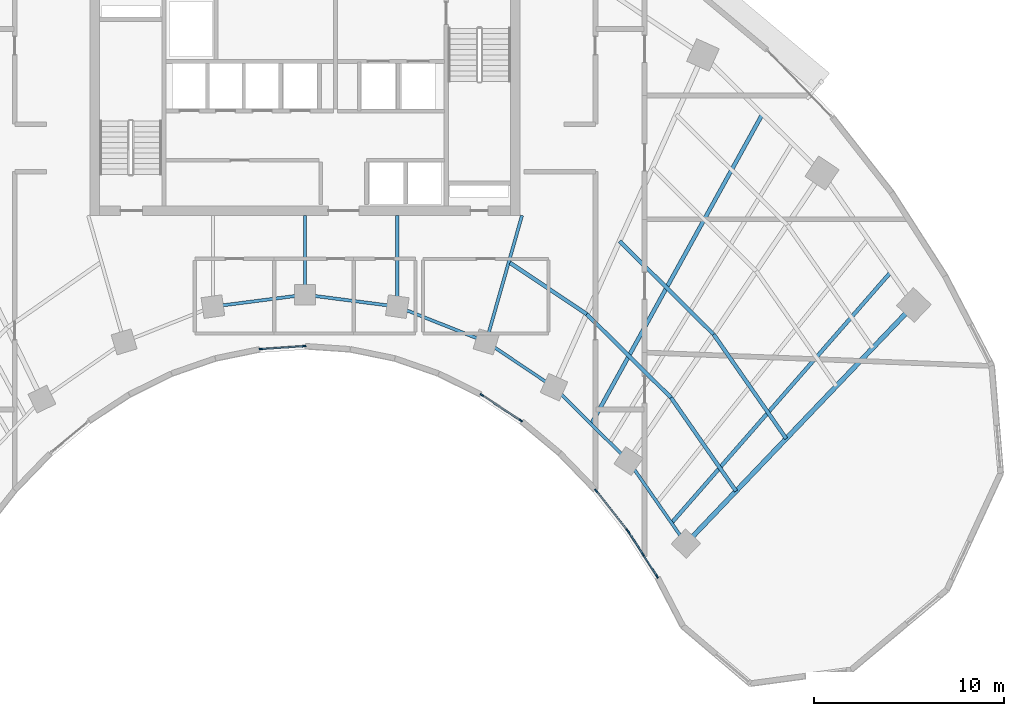
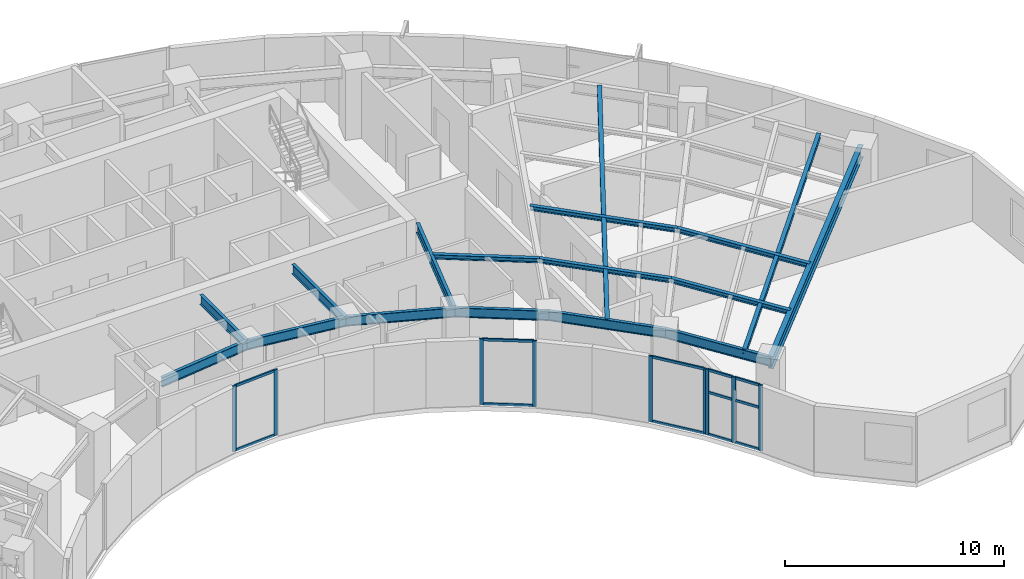
# One storey, part 3 of 13: 21 members, 17 beams, 4 elements without a shape of their own.
"""IFC4 building model written with IfcOpenShell, lengths in metres."""

import ifcopenshell
import ifcopenshell.guid

model = None  # the IFC model being written
_history = None  # IfcOwnerHistory: only IFC2X3 demands one
_inside = {}  # id of a spatial element -> (the spatial element, [elements in it])
_under = {}  # id of a project, library or spatial element -> (it, [spatial elements below it])
_declared = {}  # id of a project -> (the project, [libraries it declares])
_typed = {}  # id of a type object -> (the type object, [elements of that type])
_made_of = {}  # id of a material, layer set ... -> (it, [elements and type objects made of it])


def new_model(schema):
    """Start an empty IFC model of exactly this schema.

    Asked for "IFC4X3", IfcOpenShell would pick the latest addendum, in which some entities
    have other attributes; the version numbers below select the first issue.
    IFC2X3 requires an IfcOwnerHistory on every rooted entity: one is made here for all.
    """
    global model, _history
    if schema == "IFC4X3":
        model = ifcopenshell.file(schema_version=(4, 3, 0, 0))
    else:
        model = ifcopenshell.file(schema=schema)
    _inside.clear()
    _under.clear()
    _declared.clear()
    _typed.clear()
    _made_of.clear()
    _history = None
    if model.schema == "IFC2X3":
        org = make("IfcOrganization", Name="unknown")
        user = make(
            "IfcPersonAndOrganization",
            ThePerson=make("IfcPerson", FamilyName="unknown"),
            TheOrganization=org,
        )
        app = make(
            "IfcApplication",
            ApplicationDeveloper=org,
            Version="unknown",
            ApplicationFullName="unknown",
            ApplicationIdentifier="unknown",
        )
        _history = make(
            "IfcOwnerHistory",
            OwningUser=user,
            OwningApplication=app,
            ChangeAction="ADDED",
            CreationDate=0,
        )
    return model


def make(cls, **values):
    """One entity of the class cls with the attributes given. An attribute that is None is left unset."""
    return model.create_entity(
        cls, **{name: value for name, value in values.items() if value is not None}
    )


def rooted(cls, **values):
    """An entity with a GlobalId (a new one), such as an element, a storey or a relation."""
    return make(cls, GlobalId=ifcopenshell.guid.new(), OwnerHistory=_history, **values)


def si_unit(unit_type, name, prefix=None):
    """IfcSIUnit, for example si_unit("LENGTHUNIT", "METRE", prefix="MILLI")."""
    return make("IfcSIUnit", UnitType=unit_type, Prefix=prefix, Name=name)


def assignment(units):
    """IfcUnitAssignment: the units of a project."""
    return None if units is None else make("IfcUnitAssignment", Units=units)


def point(xyz):
    """IfcCartesianPoint."""
    return None if xyz is None else make("IfcCartesianPoint", Coordinates=xyz)


def direction(xyz):
    """IfcDirection."""
    return None if xyz is None else make("IfcDirection", DirectionRatios=xyz)


def frame(location, z_axis=None, x_axis=None):
    """IfcAxis2Placement3D, a coordinate frame: its origin and axes. An axis left out is left unset."""
    return make(
        "IfcAxis2Placement3D",
        Location=point(location),
        Axis=direction(z_axis),
        RefDirection=direction(x_axis),
    )


def frame_2d(location, x_axis=None):
    """IfcAxis2Placement2D, a coordinate frame in the plane: its origin and x axis."""
    return make(
        "IfcAxis2Placement2D", Location=point(location), RefDirection=direction(x_axis)
    )


def origin():
    """The frame at (0, 0, 0) with its axes left unset."""
    return frame((0.0, 0.0, 0.0))


def origin_2d():
    """The frame at (0, 0) in the plane with its x axis left unset."""
    return frame_2d((0.0, 0.0))


def place(relative_to, where):
    """IfcLocalPlacement: puts the frame where relative to a parent placement (None: the world)."""
    return make(
        "IfcLocalPlacement", PlacementRelTo=relative_to, RelativePlacement=where
    )


def context(
    kind, dimensions, precision=None, world=None, true_north=None, identifier=None
):
    """IfcGeometricRepresentationContext, for example the 3D "Model" context."""
    return make(
        "IfcGeometricRepresentationContext",
        ContextIdentifier=identifier,
        ContextType=kind,
        CoordinateSpaceDimension=dimensions,
        Precision=precision,
        WorldCoordinateSystem=world,
        TrueNorth=true_north,
    )


def subcontext(parent, identifier, kind, view, scale=None):
    """IfcGeometricRepresentationSubContext, for example "Body" below "Model"."""
    return make(
        "IfcGeometricRepresentationSubContext",
        ContextIdentifier=identifier,
        ContextType=kind,
        ParentContext=parent,
        TargetScale=scale,
        TargetView=view,
    )


def project(units=None, contexts=None):
    """IfcProject with its units and contexts."""
    return rooted(
        "IfcProject",
        Name="project",
        RepresentationContexts=contexts,
        UnitsInContext=assignment(units),
    )


def spatial(cls, under=None, at=None, **own):
    """A site, building, storey or space (cls), placed at a placement, below another one or the project."""
    s = rooted(cls, ObjectPlacement=at, **own)
    if under is not None:
        _under.setdefault(under.id(), (under, []))[1].append(s)
    return s


def profile(cls, at=None, kind="AREA", **sizes):
    """A parametric profile (cls). Its sizes go by their IFC names, for example OverallWidth=200.0."""
    return make(cls, ProfileType=kind, Position=at, **sizes)


def rectangle(**sizes):
    """IfcRectangleProfileDef."""
    return profile("IfcRectangleProfileDef", **sizes)


def i_section(**sizes):
    """IfcIShapeProfileDef."""
    return profile("IfcIShapeProfileDef", **sizes)


def extrude(swept, where, along, depth):
    """IfcExtrudedAreaSolid: the profile swept, set in the frame where, extruded along a direction by depth."""
    return make(
        "IfcExtrudedAreaSolid",
        SweptArea=swept,
        Position=where,
        ExtrudedDirection=direction(along),
        Depth=depth,
    )


def shape(context_of_items, identifier, shape_type, items):
    """IfcShapeRepresentation: the items that make up one representation, for example the "Body"."""
    return make(
        "IfcShapeRepresentation",
        ContextOfItems=context_of_items,
        RepresentationIdentifier=identifier,
        RepresentationType=shape_type,
        Items=items,
    )


def source(mapping_origin, context_of_items, identifier, shape_type, items):
    """IfcRepresentationMap: a shape defined once, which mapped items show again and again."""
    return make(
        "IfcRepresentationMap",
        MappingOrigin=mapping_origin,
        MappedRepresentation=shape(context_of_items, identifier, shape_type, items),
    )


def transform(
    local_origin,
    x_axis=None,
    y_axis=None,
    z_axis=None,
    scale=None,
    scale2=None,
    scale3=None,
    uniform=True,
):
    """IfcCartesianTransformationOperator3D, or its non-uniform kind. x_axis, y_axis, z_axis: its Axis1, 2, 3."""
    if uniform:
        return make(
            "IfcCartesianTransformationOperator3D",
            Axis1=direction(x_axis),
            Axis2=direction(y_axis),
            LocalOrigin=point(local_origin),
            Scale=scale,
            Axis3=direction(z_axis),
        )
    return make(
        "IfcCartesianTransformationOperator3DnonUniform",
        Axis1=direction(x_axis),
        Axis2=direction(y_axis),
        LocalOrigin=point(local_origin),
        Scale=scale,
        Axis3=direction(z_axis),
        Scale2=scale2,
        Scale3=scale3,
    )


def mapped(mapping_source, mapping_target):
    """IfcMappedItem: shows the shape of a source again, moved by a transform."""
    return make(
        "IfcMappedItem", MappingSource=mapping_source, MappingTarget=mapping_target
    )


def material(Name=None, Category=None):
    """IfcMaterial."""
    return make("IfcMaterial", Name=Name, Category=Category)


def layer(
    of_material, thickness, ventilated=None, Name=None, Category=None, Priority=None
):
    """IfcMaterialLayer: one layer of a wall or slab, of a material (None: an air gap)."""
    return make(
        "IfcMaterialLayer",
        Material=of_material,
        LayerThickness=thickness,
        IsVentilated=ventilated,
        Name=Name,
        Category=Category,
        Priority=Priority,
    )


def layer_set(layers, Name=None):
    """IfcMaterialLayerSet."""
    return make("IfcMaterialLayerSet", MaterialLayers=layers, LayerSetName=Name)


def material_profile(
    of_material, cross_section, Name=None, Category=None, Priority=None
):
    """IfcMaterialProfile: a cross section and its material."""
    return make(
        "IfcMaterialProfile",
        Name=Name,
        Material=of_material,
        Profile=cross_section,
        Priority=Priority,
        Category=Category,
    )


def profile_set(profiles, Name=None, composite=None):
    """IfcMaterialProfileSet."""
    return make(
        "IfcMaterialProfileSet",
        Name=Name,
        MaterialProfiles=profiles,
        CompositeProfile=composite,
    )


def made_of(thing, what):
    """Note that an element or type object is made of a material, layer set ...; save() writes the relation."""
    if what is not None:
        _made_of.setdefault(what.id(), (what, []))[1].append(thing)
    return thing


def type_object(cls, material=None, **own):
    """A type object (cls), such as IfcWallType, which elements share."""
    return made_of(rooted(cls, **own), material)


def type_shapes(of_type, sources):
    """Give a type object the sources (RepresentationMaps) that its elements show as mapped items."""
    of_type.RepresentationMaps = sources


def element(
    cls,
    number,
    at=None,
    inside=None,
    cuts=None,
    type_object=None,
    material=None,
    context=None,
    identifier="Body",
    shape_type=None,
    held_by="IfcProductDefinitionShape",
    body=None,
    shapes=None,
    **own,
):
    """One element of the class cls, such as IfcWall. Its Tag is "e" and its number.

    at: its placement. inside: the storey or other place that contains it. cuts: it is an
    opening in that element (IfcRelVoidsElement). A single representation is given by context,
    identifier, shape_type and body (its items); several are given by shapes. held_by: the class
    of the entity that holds the representations. save() writes the other relations.
    """
    e = rooted(cls, Tag="e%d" % number, ObjectPlacement=at, **own)
    if body is not None:
        shapes = [shape(context, identifier, shape_type, body)]
    if shapes is not None:
        e.Representation = make(held_by, Representations=shapes)
    if inside is not None:
        _inside.setdefault(inside.id(), (inside, []))[1].append(e)
    if cuts is not None:
        rooted(
            "IfcRelVoidsElement", RelatingBuildingElement=cuts, RelatedOpeningElement=e
        )
    if type_object is not None:
        _typed.setdefault(type_object.id(), (type_object, []))[1].append(e)
    return made_of(e, material)


def aggregate(whole, parts):
    """IfcRelAggregates: a whole, such as a stair, and the parts it consists of."""
    return rooted("IfcRelAggregates", RelatingObject=whole, RelatedObjects=parts)


def save(model, path):
    """Write the relations noted so far, then the file.

    IfcRelAggregates (storeys below a building ...), IfcRelContainedInSpatialStructure (elements
    in a storey), IfcRelDefinesByType, IfcRelAssociatesMaterial and IfcRelDeclares: one each for
    every whole, place, type object, material and project.
    """
    for whole, parts in _under.values():
        aggregate(whole, parts)
    for where, things in _inside.values():
        rooted(
            "IfcRelContainedInSpatialStructure",
            RelatedElements=things,
            RelatingStructure=where,
        )
    for kind, things in _typed.values():
        rooted("IfcRelDefinesByType", RelatedObjects=things, RelatingType=kind)
    for what, things in _made_of.values():
        rooted("IfcRelAssociatesMaterial", RelatedObjects=things, RelatingMaterial=what)
    for by, libraries in _declared.values():
        rooted("IfcRelDeclares", RelatingContext=by, RelatedDefinitions=libraries)
    model.write(path)


model = new_model("IFC4")

# Units and contexts
model_context = context("Model", 3, precision=1e-05, world=origin(), true_north=direction((0.0, 1.0)))
body_context = subcontext(model_context, "Body", "Model", "MODEL_VIEW")
ifc_project = project(units=[si_unit("LENGTHUNIT", "METRE"), si_unit("AREAUNIT", "SQUARE_METRE"), si_unit("VOLUMEUNIT", "CUBIC_METRE"), si_unit("PLANEANGLEUNIT", "RADIAN"), si_unit("MASSUNIT", "GRAM", prefix="KILO")], contexts=[model_context])

# Site, building, storey
site_placement = place(None, origin())
site = spatial("IfcSite", under=ifc_project, at=site_placement, CompositionType="ELEMENT")
building_placement = place(site_placement, origin())
building = spatial("IfcBuilding", under=site, at=building_placement, Name="Breltana Convention Tower", CompositionType="ELEMENT")
storey_placement = place(building_placement, frame((0.0, 0.0, 127.199951171875)))
storey = spatial("IfcBuildingStorey", under=building, at=storey_placement, Name="L30", CompositionType="ELEMENT", Elevation=127.199951171875)

# Beams
ifc_material_1 = material(Name="Steel ASTM A992 Grade 50", Category="steel")
ifc_material_profile_1 = material_profile(ifc_material_1, i_section(OverallWidth=0.25390625, OverallDepth=0.68798828125, WebThickness=0.01318359375, FlangeThickness=0.02099609375, at=origin_2d()), Name="W27X102")
ifc_profile_set_1 = profile_set([ifc_material_profile_1], Name="Steel ASTM A992 Grade 50")
beam_type_1 = type_object("IfcBeamType", Name="BM-RG-W27X102", PredefinedType="USERDEFINED", material=ifc_profile_set_1)
shared_shape_1 = source(origin(), body_context, "Body", "SweptSolid", [
    extrude(i_section(OverallWidth=0.25390625, OverallDepth=0.68798828125, WebThickness=0.01318359375, FlangeThickness=0.02099609375, at=origin_2d()), origin(), (0.0, 0.0, 1.0), 17.341064453125),
])
type_shapes(beam_type_1, [shared_shape_1])
beam_1_placement = place(storey_placement, frame((68.015380859375, 42.95458984375, 3.30615234375), z_axis=(0.690716462293, 0.723125693581, 0.0), x_axis=(-0.723125693581, 0.690716462293, 0.0)))
element("IfcBeam", 1, at=beam_1_placement, inside=storey, type_object=beam_type_1, Name="L30 Radial Floor Girder R11", ObjectType="GIRDER", PredefinedType="USERDEFINED", context=body_context, shape_type="MappedRepresentation", body=[
    mapped(shared_shape_1, transform((0.0, 0.0, 0.0), scale=1.0)),
])
ifc_material_profile_2 = material_profile(ifc_material_1, i_section(OverallWidth=0.166015625, OverallDepth=0.534912109375, WebThickness=0.01025390625, FlangeThickness=0.0166015625, at=origin_2d()), Name="W21X57")
ifc_profile_set_2 = profile_set([ifc_material_profile_2], Name="Steel ASTM A992 Grade 50")
beam_type_2 = type_object("IfcBeamType", Name="BM-BM-W21X57", PredefinedType="BEAM", material=ifc_profile_set_2)
shared_shape_2 = source(origin(), body_context, "Body", "SweptSolid", [
    extrude(i_section(OverallWidth=0.166015625, OverallDepth=0.534912109375, WebThickness=0.01025390625, FlangeThickness=0.0166015625, at=origin_2d()), origin(), (0.0, 0.0, 1.0), 6.904541015625),
])
type_shapes(beam_type_2, [shared_shape_2])
beam_2_placement = place(storey_placement, frame((59.39990234375, 60.199951171875, 3.382568359375), z_axis=(-0.273006781054, -0.962012108811, 0.0), x_axis=(0.962012108811, -0.273006781054, 0.0)))
element("IfcBeam", 2, at=beam_2_placement, inside=storey, type_object=beam_type_2, Name="L30 South Core Tie Girder R08", PredefinedType="BEAM", context=body_context, shape_type="MappedRepresentation", body=[
    mapped(shared_shape_2, transform((0.0, 0.0, 0.0), scale=1.0)),
])
shared_shape_3 = source(origin(), body_context, "Body", "SweptSolid", [
    extrude(i_section(OverallWidth=0.166015625, OverallDepth=0.534912109375, WebThickness=0.01025390625, FlangeThickness=0.0166015625, at=origin_2d()), origin(), (0.0, 0.0, 1.0), 4.789306640625),
])
beam_3_placement = place(storey_placement, frame((52.846435546875, 60.199951171875, 3.382568359375), z_axis=(0.0, -1.0, 0.0), x_axis=(1.0, 0.0, 0.0)))
element("IfcBeam", 3, at=beam_3_placement, inside=storey, type_object=beam_type_2, Name="L30 South Core Tie Girder R07", PredefinedType="BEAM", context=body_context, shape_type="MappedRepresentation", body=[
    mapped(shared_shape_3, transform((0.0, 0.0, 0.0), scale=1.0)),
])
shared_shape_4 = source(origin(), body_context, "Body", "SweptSolid", [
    extrude(i_section(OverallWidth=0.166015625, OverallDepth=0.534912109375, WebThickness=0.01025390625, FlangeThickness=0.0166015625, at=origin_2d()), origin(), (0.0, 0.0, 1.0), 4.1640625),
])
beam_4_placement = place(storey_placement, frame((48.0, 60.199951171875, 3.382568359375), z_axis=(0.0, -1.0, 0.0), x_axis=(1.0, 0.0, 0.0)))
element("IfcBeam", 4, at=beam_4_placement, inside=storey, type_object=beam_type_2, Name="L30 South Core Tie Girder R06", PredefinedType="BEAM", context=body_context, shape_type="MappedRepresentation", body=[
    mapped(shared_shape_4, transform((0.0, 0.0, 0.0), scale=1.0)),
])
shared_shape_5 = source(origin(), body_context, "Body", "SweptSolid", [
    extrude(i_section(OverallWidth=0.166015625, OverallDepth=0.534912109375, WebThickness=0.01025390625, FlangeThickness=0.0166015625, at=origin_2d()), origin(), (0.0, 0.0, 1.0), 5.022705078125),
])
beam_5_placement = place(storey_placement, frame((52.846435546875, 55.41064453125, 3.382568359375), z_axis=(0.929458966248, -0.368925507469, 0.0), x_axis=(0.368925507469, 0.929458966248, 0.0)))
element("IfcBeam", 5, at=beam_5_placement, inside=storey, type_object=beam_type_2, Name="L30 Inner Ring Beam 07", PredefinedType="BEAM", context=body_context, shape_type="MappedRepresentation", body=[
    mapped(shared_shape_5, transform((0.0, 0.0, 0.0), scale=1.0)),
])
shared_shape_6 = source(origin(), body_context, "Body", "SweptSolid", [
    extrude(i_section(OverallWidth=0.166015625, OverallDepth=0.534912109375, WebThickness=0.01025390625, FlangeThickness=0.0166015625, at=origin_2d()), origin(), (0.0, 0.0, 1.0), 4.88671875),
])
for number, where, z_axis, x_axis, name in (
    (6, (43.153564453125, 55.41064453125, 3.382568359375), (0.991780525565, 0.127950729231, 0.0), (-0.127950729231, 0.991780525565, 0.0), "L30 Inner Ring Beam 05"),
    (7, (48.0, 56.035888671875, 3.382568359375), (0.991780525565, -0.127950729231, 0.0), (0.127950729231, 0.991780525565, 0.0), "L30 Inner Ring Beam 06"),
):
    element("IfcBeam", number, at=place(storey_placement, frame(where, z_axis=z_axis, x_axis=x_axis)), inside=storey, type_object=beam_type_2, Name=name, PredefinedType="BEAM", context=body_context, shape_type="MappedRepresentation", body=[
        mapped(shared_shape_6, transform((0.0, 0.0, 0.0), scale=1.0)),
    ])
shared_shape_7 = source(origin(), body_context, "Body", "SweptSolid", [
    extrude(i_section(OverallWidth=0.166015625, OverallDepth=0.534912109375, WebThickness=0.01025390625, FlangeThickness=0.0166015625, at=origin_2d()), origin(), (0.0, 0.0, 1.0), 4.2900390625),
])
beam_6_placement = place(storey_placement, frame((57.514892578125, 53.5576171875, 3.382568359375), z_axis=(0.831515827753, -0.555501060482, 0.0), x_axis=(0.555501060482, 0.831515827753, 0.0)))
element("IfcBeam", 8, at=beam_6_placement, inside=storey, type_object=beam_type_2, Name="L30 Inner Ring Beam 08", PredefinedType="BEAM", context=body_context, shape_type="MappedRepresentation", body=[
    mapped(shared_shape_7, transform((0.0, 0.0, 0.0), scale=1.0)),
])
shared_shape_8 = source(origin(), body_context, "Body", "SweptSolid", [
    extrude(i_section(OverallWidth=0.166015625, OverallDepth=0.534912109375, WebThickness=0.01025390625, FlangeThickness=0.0166015625, at=origin_2d()), origin(), (0.0, 0.0, 1.0), 5.51171875),
])
beam_7_placement = place(storey_placement, frame((61.08203125, 51.174560546875, 3.382568359375), z_axis=(0.710090360749, -0.704110559196, 0.0), x_axis=(0.704110559196, 0.710090360749, 0.0)))
element("IfcBeam", 9, at=beam_7_placement, inside=storey, type_object=beam_type_2, Name="L30 Inner Ring Beam 09", PredefinedType="BEAM", context=body_context, shape_type="MappedRepresentation", body=[
    mapped(shared_shape_8, transform((0.0, 0.0, 0.0), scale=1.0)),
])
shared_shape_9 = source(origin(), body_context, "Body", "SweptSolid", [
    extrude(i_section(OverallWidth=0.166015625, OverallDepth=0.534912109375, WebThickness=0.01025390625, FlangeThickness=0.0166015625, at=origin_2d()), origin(), (0.0, 0.0, 1.0), 5.286376953125),
])
beam_8_placement = place(storey_placement, frame((64.995849609375, 47.293701171875, 3.382568359375), z_axis=(0.571194382458, -0.82081482531, 0.0), x_axis=(0.82081482531, 0.571194382458, 0.0)))
element("IfcBeam", 10, at=beam_8_placement, inside=storey, type_object=beam_type_2, Name="L30 Inner Ring Beam 10", PredefinedType="BEAM", context=body_context, shape_type="MappedRepresentation", body=[
    mapped(shared_shape_9, transform((0.0, 0.0, 0.0), scale=1.0)),
])
ifc_material_profile_3 = material_profile(ifc_material_1, i_section(OverallWidth=0.201904296875, OverallDepth=0.2470703125, WebThickness=0.00732421875, FlangeThickness=0.010986328125, at=origin_2d()), Name="W10X33")
ifc_profile_set_3 = profile_set([ifc_material_profile_3], Name="Steel ASTM A992 Grade 50")
beam_type_3 = type_object("IfcBeamType", Name="BM-JSG-11", PredefinedType="JOIST", material=ifc_profile_set_3)
shared_shape_10 = source(origin(), body_context, "Body", "SweptSolid", [
    extrude(i_section(OverallWidth=0.201904296875, OverallDepth=0.2470703125, WebThickness=0.00732421875, FlangeThickness=0.010986328125, at=origin_2d()), origin(), (0.0, 0.0, 1.0), 4.854736328125),
])
beam_9_placement = place(storey_placement, frame((58.767578125, 57.71240234375, 3.526611328125), z_axis=(0.831485074305, -0.555547091801, 0.0), x_axis=(0.555547091801, 0.831485074305, 0.0)))
element("IfcBeam", 11, at=beam_9_placement, inside=storey, type_object=beam_type_3, Name="L30 Composite Floor Joist 08.1", PredefinedType="JOIST", context=body_context, shape_type="MappedRepresentation", body=[
    mapped(shared_shape_10, transform((0.0, 0.0, 0.0), scale=1.0)),
])
shared_shape_11 = source(origin(), body_context, "Body", "SweptSolid", [
    extrude(i_section(OverallWidth=0.201904296875, OverallDepth=0.2470703125, WebThickness=0.00732421875, FlangeThickness=0.010986328125, at=origin_2d()), origin(), (0.0, 0.0, 1.0), 6.2373046875),
])
beam_10_placement = place(storey_placement, frame((62.80419921875, 55.015380859375, 3.526611328125), z_axis=(0.710114292485, -0.704086423394, 0.0), x_axis=(0.704086423394, 0.710114292485, 0.0)))
element("IfcBeam", 12, at=beam_10_placement, inside=storey, type_object=beam_type_3, Name="L30 Composite Floor Joist 09.1", PredefinedType="JOIST", context=body_context, shape_type="MappedRepresentation", body=[
    mapped(shared_shape_11, transform((0.0, 0.0, 0.0), scale=1.0)),
])
shared_shape_12 = source(origin(), body_context, "Body", "SweptSolid", [
    extrude(i_section(OverallWidth=0.201904296875, OverallDepth=0.2470703125, WebThickness=0.00732421875, FlangeThickness=0.010986328125, at=origin_2d()), origin(), (0.0, 0.0, 1.0), 6.963134765625),
])
beam_11_placement = place(storey_placement, frame((64.526611328125, 58.8564453125, 3.526611328125), z_axis=(0.71009817493, -0.704102678564, 0.0), x_axis=(0.704102678564, 0.71009817493, 0.0)))
element("IfcBeam", 13, at=beam_11_placement, inside=storey, type_object=beam_type_3, Name="L30 Composite Floor Joist 09.2", PredefinedType="JOIST", context=body_context, shape_type="MappedRepresentation", body=[
    mapped(shared_shape_12, transform((0.0, 0.0, 0.0), scale=1.0)),
])
ifc_material_profile_4 = material_profile(ifc_material_1, i_section(OverallWidth=0.2099609375, OverallDepth=0.537109375, WebThickness=0.010986328125, FlangeThickness=0.017333984375, at=origin_2d()), Name="W21X68")
ifc_profile_set_4 = profile_set([ifc_material_profile_4], Name="Steel ASTM A992 Grade 50")
beam_type_4 = type_object("IfcBeamType", Name="BM-JSG-04", PredefinedType="JOIST", material=ifc_profile_set_4)
shared_shape_13 = source(origin(), body_context, "Body", "SweptSolid", [
    extrude(i_section(OverallWidth=0.2099609375, OverallDepth=0.537109375, WebThickness=0.010986328125, FlangeThickness=0.017333984375, at=origin_2d()), origin(), (0.0, 0.0, 1.0), 18.617431640625),
])
beam_12_placement = place(storey_placement, frame((63.038818359375, 49.234130859375, 3.381591796875), z_axis=(0.483405602507, 0.875396495004, 0.0), x_axis=(-0.875396495004, 0.483405602507, 0.0)))
element("IfcBeam", 14, at=beam_12_placement, inside=storey, type_object=beam_type_4, Name="L30 Mid-Bay Radial Trimmer 09", PredefinedType="JOIST", context=body_context, shape_type="MappedRepresentation", body=[
    mapped(shared_shape_13, transform((0.0, 0.0, 0.0), scale=1.0)),
])
shared_shape_14 = source(origin(), body_context, "Body", "SweptSolid", [
    extrude(i_section(OverallWidth=0.201904296875, OverallDepth=0.2470703125, WebThickness=0.00732421875, FlangeThickness=0.010986328125, at=origin_2d()), origin(), (0.0, 0.0, 1.0), 5.982421875),
])
beam_13_placement = place(storey_placement, frame((67.2333984375, 50.623779296875, 3.526611328125), z_axis=(0.571211549446, -0.82080287876, 0.0), x_axis=(0.82080287876, 0.571211549446, 0.0)))
element("IfcBeam", 15, at=beam_13_placement, inside=storey, type_object=beam_type_3, Name="L30 Composite Floor Joist 10.1", PredefinedType="JOIST", context=body_context, shape_type="MappedRepresentation", body=[
    mapped(shared_shape_14, transform((0.0, 0.0, 0.0), scale=1.0)),
])
shared_shape_15 = source(origin(), body_context, "Body", "SweptSolid", [
    extrude(i_section(OverallWidth=0.201904296875, OverallDepth=0.2470703125, WebThickness=0.00732421875, FlangeThickness=0.010986328125, at=origin_2d()), origin(), (0.0, 0.0, 1.0), 6.677978515625),
])
beam_14_placement = place(storey_placement, frame((69.47119140625, 53.95361328125, 3.526611328125), z_axis=(0.571193018768, -0.820815774282, 0.0), x_axis=(0.820815774282, 0.571193018768, 0.0)))
element("IfcBeam", 16, at=beam_14_placement, inside=storey, type_object=beam_type_3, Name="L30 Composite Floor Joist 10.2", PredefinedType="JOIST", context=body_context, shape_type="MappedRepresentation", body=[
    mapped(shared_shape_15, transform((0.0, 0.0, 0.0), scale=1.0)),
])
shared_shape_16 = source(origin(), body_context, "Body", "SweptSolid", [
    extrude(i_section(OverallWidth=0.201904296875, OverallDepth=0.2470703125, WebThickness=0.00732421875, FlangeThickness=0.010986328125, at=origin_2d()), origin(), (0.0, 0.0, 1.0), 17.515625),
])
beam_15_placement = place(storey_placement, frame((67.260498046875, 44.03955078125, 3.526611328125), z_axis=(0.658051548324, 0.752972881151, 0.0), x_axis=(-0.752972881151, 0.658051548324, 0.0)))
element("IfcBeam", 17, at=beam_15_placement, inside=storey, type_object=beam_type_3, Name="L30 Quarter-Bay Radial Trimmer 10", PredefinedType="JOIST", context=body_context, shape_type="MappedRepresentation", body=[
    mapped(shared_shape_16, transform((0.0, 0.0, 0.0), scale=1.0)),
])

# Curtain wall, members
ifc_material_2 = material(Name="Aluminium Anodised Bronze Frame", Category="aluminium")
ifc_layer = layer(ifc_material_2, 0.18994140625, Name="Aluminium Anodised Bronze Frame")
ifc_layer_set = layer_set([ifc_layer], Name="Aluminium Anodised Bronze Frame")
curtain_wall_type = type_object("IfcCurtainWallType", Name="CW-SYS-1", PredefinedType="NOTDEFINED", material=ifc_layer_set)
curtain_wall_1_placement = place(storey_placement, origin())
curtain_wall_1 = element("IfcCurtainWall", 18, at=curtain_wall_1_placement, inside=storey, type_object=curtain_wall_type, Name="L30 inner south-court glazing 1", PredefinedType="NOTDEFINED")
ifc_material_3 = material(Name="Aluminium Anodised Bronze", Category="aluminium")
ifc_material_profile_5 = material_profile(ifc_material_3, rectangle(XDim=0.080078125, YDim=0.139892578125, at=origin_2d()), Name="CWT-80X140")
ifc_profile_set_5 = profile_set([ifc_material_profile_5], Name="Aluminium Anodised Bronze")
member_type_1 = type_object("IfcMemberType", Name="CWT-140", PredefinedType="USERDEFINED", material=ifc_profile_set_5)
shared_shape_17 = source(origin(), body_context, "Body", "SweptSolid", [
    extrude(rectangle(XDim=0.080078125, YDim=0.139892578125, at=origin_2d()), origin(), (0.0, 0.0, 1.0), 1.30029296875),
])
member_1_placement = place(storey_placement, frame((66.4794921875, 41.259521484375, 0.0400390625), z_axis=(-0.540188084224, 0.841544314735, 0.0), x_axis=(-0.841544314735, -0.540188084224, 0.0)))
member_1 = element("IfcMember", 19, at=member_1_placement, type_object=member_type_1, Name="CW-01 transom 1.1", ObjectType="TRANSOM", PredefinedType="USERDEFINED", context=body_context, shape_type="MappedRepresentation", body=[
    mapped(shared_shape_17, transform((0.0, 0.0, 0.0), scale=1.0)),
])
member_2_placement = place(storey_placement, frame((66.4794921875, 41.259521484375, 2.37255859375), z_axis=(-0.540188084224, 0.841544314735, 0.0), x_axis=(-0.841544314735, -0.540188084224, 0.0)))
member_2 = element("IfcMember", 20, at=member_2_placement, type_object=member_type_1, Name="CW-01 transom 1.2", ObjectType="TRANSOM", PredefinedType="USERDEFINED", context=body_context, shape_type="MappedRepresentation", body=[
    mapped(shared_shape_17, transform((0.0, 0.0, 0.0), scale=1.0)),
])
member_3_placement = place(storey_placement, frame((66.4794921875, 41.259521484375, 3.610107421875), z_axis=(-0.540188084224, 0.841544314735, 0.0), x_axis=(-0.841544314735, -0.540188084224, 0.0)))
member_3 = element("IfcMember", 21, at=member_3_placement, type_object=member_type_1, Name="CW-01 transom 1.3", ObjectType="TRANSOM", PredefinedType="USERDEFINED", context=body_context, shape_type="MappedRepresentation", body=[
    mapped(shared_shape_17, transform((0.0, 0.0, 0.0), scale=1.0)),
])
shared_shape_18 = source(origin(), body_context, "Body", "SweptSolid", [
    extrude(rectangle(XDim=0.080078125, YDim=0.139892578125, at=origin_2d()), origin(), (0.0, 0.0, 1.0), 1.300048828125),
])
member_4_placement = place(storey_placement, frame((65.73388671875, 42.4208984375, 0.0400390625), z_axis=(-0.540140453972, 0.841574886735, 0.0), x_axis=(-0.841574886735, -0.540140453972, 0.0)))
member_4 = element("IfcMember", 22, at=member_4_placement, type_object=member_type_1, Name="CW-01 transom 2.1", ObjectType="TRANSOM", PredefinedType="USERDEFINED", context=body_context, shape_type="MappedRepresentation", body=[
    mapped(shared_shape_18, transform((0.0, 0.0, 0.0), scale=1.0)),
])
member_5_placement = place(storey_placement, frame((65.73388671875, 42.4208984375, 2.37255859375), z_axis=(-0.540140453972, 0.841574886735, 0.0), x_axis=(-0.841574886735, -0.540140453972, 0.0)))
member_5 = element("IfcMember", 23, at=member_5_placement, type_object=member_type_1, Name="CW-01 transom 2.2", ObjectType="TRANSOM", PredefinedType="USERDEFINED", context=body_context, shape_type="MappedRepresentation", body=[
    mapped(shared_shape_18, transform((0.0, 0.0, 0.0), scale=1.0)),
])
member_6_placement = place(storey_placement, frame((65.73388671875, 42.4208984375, 3.610107421875), z_axis=(-0.540140453972, 0.841574886735, 0.0), x_axis=(-0.841574886735, -0.540140453972, 0.0)))
member_6 = element("IfcMember", 24, at=member_6_placement, type_object=member_type_1, Name="CW-01 transom 2.3", ObjectType="TRANSOM", PredefinedType="USERDEFINED", context=body_context, shape_type="MappedRepresentation", body=[
    mapped(shared_shape_18, transform((0.0, 0.0, 0.0), scale=1.0)),
])

curtain_wall_2_placement = place(storey_placement, origin())
curtain_wall_2 = element("IfcCurtainWall", 25, at=curtain_wall_2_placement, inside=storey, type_object=curtain_wall_type, Name="L30 inner south-court glazing 2", PredefinedType="NOTDEFINED")
shared_shape_19 = source(origin(), body_context, "Body", "SweptSolid", [
    extrude(rectangle(XDim=0.080078125, YDim=0.139892578125, at=origin_2d()), origin(), (0.0, 0.0, 1.0), 2.6005859375),
])
member_7_placement = place(storey_placement, frame((64.928955078125, 43.6591796875, 0.0400390625), z_axis=(-0.618078566977, 0.786116330478, 0.0), x_axis=(-0.786116330478, -0.618078566977, 0.0)))
member_7 = element("IfcMember", 26, at=member_7_placement, type_object=member_type_1, Name="CW-01 transom 1.1", ObjectType="TRANSOM", PredefinedType="USERDEFINED", context=body_context, shape_type="MappedRepresentation", body=[
    mapped(shared_shape_19, transform((0.0, 0.0, 0.0), scale=1.0)),
])
member_8_placement = place(storey_placement, frame((64.928955078125, 43.6591796875, 3.610107421875), z_axis=(-0.618078566977, 0.786116330478, 0.0), x_axis=(-0.786116330478, -0.618078566977, 0.0)))
member_8 = element("IfcMember", 27, at=member_8_placement, type_object=member_type_1, Name="CW-01 transom 1.2", ObjectType="TRANSOM", PredefinedType="USERDEFINED", context=body_context, shape_type="MappedRepresentation", body=[
    mapped(shared_shape_19, transform((0.0, 0.0, 0.0), scale=1.0)),
])

curtain_wall_3_placement = place(storey_placement, origin())
curtain_wall_3 = element("IfcCurtainWall", 28, at=curtain_wall_3_placement, inside=storey, type_object=curtain_wall_type, Name="L30 inner south-court glazing 3", PredefinedType="NOTDEFINED")
shared_shape_20 = source(origin(), body_context, "Body", "SweptSolid", [
    extrude(rectangle(XDim=0.080078125, YDim=0.139892578125, at=origin_2d()), origin(), (0.0, 0.0, 1.0), 2.3671875),
])
member_9_placement = place(storey_placement, frame((59.3037109375, 49.443115234375, 0.0400390625), z_axis=(-0.835979901311, 0.548760061051, 0.0), x_axis=(-0.548760061051, -0.835979901311, 0.0)))
member_9 = element("IfcMember", 29, at=member_9_placement, type_object=member_type_1, Name="CW-01 transom 1.1", ObjectType="TRANSOM", PredefinedType="USERDEFINED", context=body_context, shape_type="MappedRepresentation", body=[
    mapped(shared_shape_20, transform((0.0, 0.0, 0.0), scale=1.0)),
])
member_10_placement = place(storey_placement, frame((59.3037109375, 49.443115234375, 3.610107421875), z_axis=(-0.835979901311, 0.548760061051, 0.0), x_axis=(-0.548760061051, -0.835979901311, 0.0)))
member_10 = element("IfcMember", 30, at=member_10_placement, type_object=member_type_1, Name="CW-01 transom 1.2", ObjectType="TRANSOM", PredefinedType="USERDEFINED", context=body_context, shape_type="MappedRepresentation", body=[
    mapped(shared_shape_20, transform((0.0, 0.0, 0.0), scale=1.0)),
])

curtain_wall_4_placement = place(storey_placement, origin())
curtain_wall_4 = element("IfcCurtainWall", 31, at=curtain_wall_4_placement, inside=storey, type_object=curtain_wall_type, Name="L30 inner south-court glazing 4", PredefinedType="NOTDEFINED")
shared_shape_21 = source(origin(), body_context, "Body", "SweptSolid", [
    extrude(rectangle(XDim=0.080078125, YDim=0.139892578125, at=origin_2d()), origin(), (0.0, 0.0, 1.0), 2.195068359375),
])
member_11_placement = place(storey_placement, frame((47.907958984375, 53.3291015625, 0.0400390625), z_axis=(-0.99770320904, -0.067737040614, 0.0), x_axis=(0.067737040614, -0.99770320904, 0.0)))
member_11 = element("IfcMember", 32, at=member_11_placement, type_object=member_type_1, Name="CW-01 transom 1.1", ObjectType="TRANSOM", PredefinedType="USERDEFINED", context=body_context, shape_type="MappedRepresentation", body=[
    mapped(shared_shape_21, transform((0.0, 0.0, 0.0), scale=1.0)),
])
member_12_placement = place(storey_placement, frame((47.907958984375, 53.3291015625, 3.610107421875), z_axis=(-0.99770320904, -0.067737040614, 0.0), x_axis=(0.067737040614, -0.99770320904, 0.0)))
member_12 = element("IfcMember", 33, at=member_12_placement, type_object=member_type_1, Name="CW-01 transom 1.2", ObjectType="TRANSOM", PredefinedType="USERDEFINED", context=body_context, shape_type="MappedRepresentation", body=[
    mapped(shared_shape_21, transform((0.0, 0.0, 0.0), scale=1.0)),
])

# Member
ifc_material_profile_6 = material_profile(ifc_material_3, rectangle(XDim=0.080078125, YDim=0.199951171875, at=origin_2d()), Name="CWM-80X200")
ifc_profile_set_6 = profile_set([ifc_material_profile_6], Name="Aluminium Anodised Bronze")
member_type_2 = type_object("IfcMemberType", Name="CWM-200", PredefinedType="MULLION", material=ifc_profile_set_6)
shared_shape_22 = source(origin(), body_context, "Body", "SweptSolid", [
    extrude(rectangle(XDim=0.080078125, YDim=0.199951171875, at=origin_2d()), origin(), (0.0, 0.0, 1.0), 3.650146484375),
])
member_13_placement = place(storey_placement, frame((66.5009765625, 41.22607421875, 0.0), z_axis=(0.0, 0.0, 1.0), x_axis=(-0.841551235949, -0.5401773017, 0.0)))
member_13 = element("IfcMember", 34, at=member_13_placement, type_object=member_type_2, Name="CW-01 mullion 1", PredefinedType="MULLION", context=body_context, shape_type="MappedRepresentation", body=[
    mapped(shared_shape_22, transform((0.0, 0.0, 0.0), scale=1.0)),
])

member_14_placement = place(storey_placement, frame((65.755615234375, 42.38720703125, 0.0), z_axis=(0.0, 0.0, 1.0), x_axis=(-0.841551235949, -0.5401773017, 0.0)))
member_14 = element("IfcMember", 35, at=member_14_placement, type_object=member_type_2, Name="CW-01 mullion 2", PredefinedType="MULLION", context=body_context, shape_type="MappedRepresentation", body=[
    mapped(shared_shape_22, transform((0.0, 0.0, 0.0), scale=1.0)),
])

member_15_placement = place(storey_placement, frame((65.010009765625, 43.548583984375, 0.0), z_axis=(0.0, 0.0, 1.0), x_axis=(-0.841551235949, -0.5401773017, 0.0)))
member_15 = element("IfcMember", 36, at=member_15_placement, type_object=member_type_2, Name="CW-01 mullion 3", PredefinedType="MULLION", context=body_context, shape_type="MappedRepresentation", body=[
    mapped(shared_shape_22, transform((0.0, 0.0, 0.0), scale=1.0)),
])

aggregate(curtain_wall_1, [member_13, member_14, member_15, member_1, member_2, member_3, member_4, member_5, member_6])

member_16_placement = place(storey_placement, frame((64.953857421875, 43.6279296875, 0.0), z_axis=(0.0, 0.0, 1.0), x_axis=(-0.786054302547, -0.61815745037, 0.0)))
member_16 = element("IfcMember", 37, at=member_16_placement, type_object=member_type_2, Name="CW-01 mullion 1", PredefinedType="MULLION", context=body_context, shape_type="MappedRepresentation", body=[
    mapped(shared_shape_22, transform((0.0, 0.0, 0.0), scale=1.0)),
])

member_17_placement = place(storey_placement, frame((63.296630859375, 45.73486328125, 0.0), z_axis=(0.0, 0.0, 1.0), x_axis=(-0.786054302547, -0.61815745037, 0.0)))
member_17 = element("IfcMember", 38, at=member_17_placement, type_object=member_type_2, Name="CW-01 mullion 2", PredefinedType="MULLION", context=body_context, shape_type="MappedRepresentation", body=[
    mapped(shared_shape_22, transform((0.0, 0.0, 0.0), scale=1.0)),
])

aggregate(curtain_wall_2, [member_16, member_17, member_7, member_8])

member_18_placement = place(storey_placement, frame((59.337158203125, 49.421142578125, 0.0), z_axis=(0.0, 0.0, 1.0), x_axis=(-0.548778301858, -0.835967927261, 0.0)))
member_18 = element("IfcMember", 39, at=member_18_placement, type_object=member_type_2, Name="CW-01 mullion 1", PredefinedType="MULLION", context=body_context, shape_type="MappedRepresentation", body=[
    mapped(shared_shape_22, transform((0.0, 0.0, 0.0), scale=1.0)),
])

member_19_placement = place(storey_placement, frame((57.291259765625, 50.76416015625, 0.0), z_axis=(0.0, 0.0, 1.0), x_axis=(-0.548778301858, -0.835967927261, 0.0)))
member_19 = element("IfcMember", 40, at=member_19_placement, type_object=member_type_2, Name="CW-01 mullion 2", PredefinedType="MULLION", context=body_context, shape_type="MappedRepresentation", body=[
    mapped(shared_shape_22, transform((0.0, 0.0, 0.0), scale=1.0)),
])

aggregate(curtain_wall_3, [member_18, member_19, member_9, member_10])

member_20_placement = place(storey_placement, frame((47.947998046875, 53.331787109375, 0.0), z_axis=(0.0, 0.0, 1.0), x_axis=(0.067728021582, -0.997703821328, 0.0)))
member_20 = element("IfcMember", 41, at=member_20_placement, type_object=member_type_2, Name="CW-01 mullion 1", PredefinedType="MULLION", context=body_context, shape_type="MappedRepresentation", body=[
    mapped(shared_shape_22, transform((0.0, 0.0, 0.0), scale=1.0)),
])

member_21_placement = place(storey_placement, frame((45.67822265625, 53.177734375, 0.0), z_axis=(0.0, 0.0, 1.0), x_axis=(0.067728021582, -0.997703821328, 0.0)))
member_21 = element("IfcMember", 42, at=member_21_placement, type_object=member_type_2, Name="CW-01 mullion 2", PredefinedType="MULLION", context=body_context, shape_type="MappedRepresentation", body=[
    mapped(shared_shape_22, transform((0.0, 0.0, 0.0), scale=1.0)),
])

aggregate(curtain_wall_4, [member_20, member_21, member_11, member_12])

save(model, "model.ifc")
